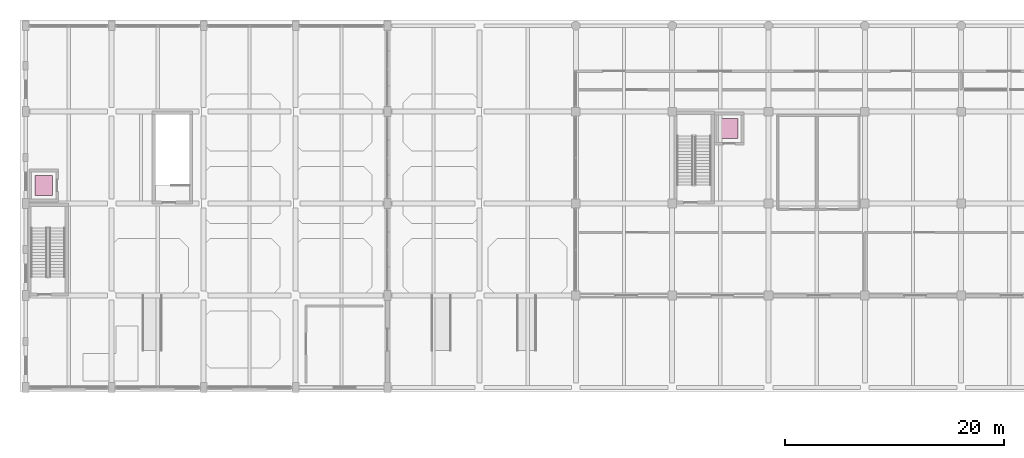
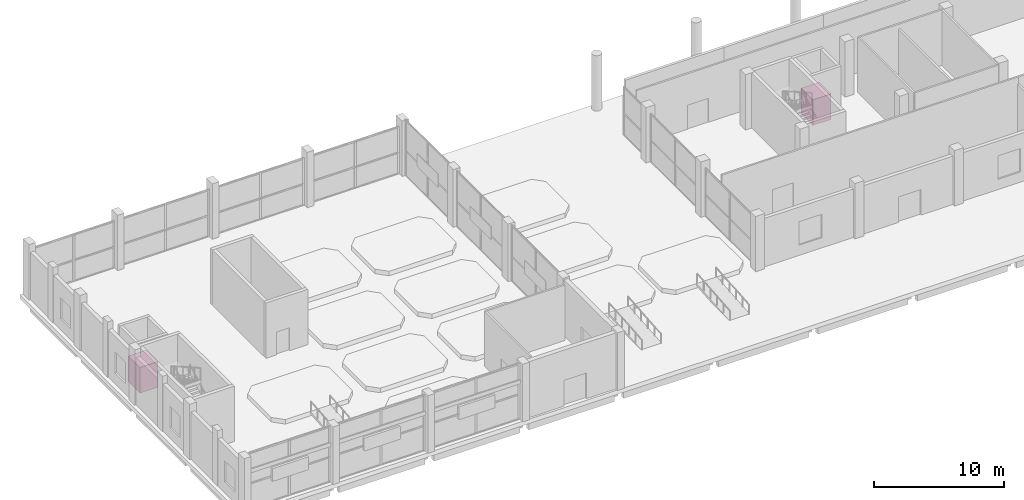
# One storey, part 34 of 34: 2 transport elements.
"""IFC4 building model written with IfcOpenShell, lengths in metres."""

from ifc_helpers import new_model, si_unit, direction, frame, origin, origin_2d, place, context, subcontext, project, spatial, rectangle, extrude, material, type_object, element, save


model = new_model("IFC4")

# Units and contexts
model_context = context("Model", 3, precision=1e-05, world=origin(), true_north=direction((0.0, 1.0)))
body_context = subcontext(model_context, "Body", "Model", "MODEL_VIEW")
ifc_project = project(units=[si_unit("LENGTHUNIT", "METRE"), si_unit("AREAUNIT", "SQUARE_METRE"), si_unit("VOLUMEUNIT", "CUBIC_METRE"), si_unit("PLANEANGLEUNIT", "RADIAN"), si_unit("MASSUNIT", "GRAM", prefix="KILO")], contexts=[model_context])

# Site, building, storey
site_placement = place(None, origin())
site = spatial("IfcSite", under=ifc_project, at=site_placement, CompositionType="ELEMENT")
building_placement = place(site_placement, origin())
building = spatial("IfcBuilding", under=site, at=building_placement, Name="Brinegate Botanical Conservatory", CompositionType="ELEMENT")
storey_placement = place(building_placement, origin())
storey = spatial("IfcBuildingStorey", under=building, at=storey_placement, Name="L01", CompositionType="ELEMENT", Elevation=0.0)

# Transport elements
ifc_material = material(Name="Brushed stainless steel S355 elevator cab", Category="steel")
transport_element_type_1 = type_object("IfcTransportElementType", Name="Lift_LF5", PredefinedType="ELEVATOR", material=ifc_material)
transport_element_1_placement = place(storey_placement, frame((64.800048828125, 102.050048828125, 0.0), z_axis=(0.0, 0.0, 1.0), x_axis=(1.0, 0.0, 0.0)))
element("IfcTransportElement", 1, at=transport_element_1_placement, inside=storey, type_object=transport_element_type_1, Name="Visitor Wing Passenger Lift LF5", PredefinedType="ELEVATOR", context=body_context, shape_type="SweptSolid", body=[
    extrude(rectangle(XDim=1.60009765625, YDim=1.800048828125, at=origin_2d()), origin(), (0.0, 0.0, 1.0), 2.39990234375),
])
transport_element_type_2 = type_object("IfcTransportElementType", Name="Lift_LF7", PredefinedType="ELEVATOR", material=ifc_material)
transport_element_2_placement = place(storey_placement, frame((2.199951171875, 96.85009765625, 0.0), z_axis=(0.0, 0.0, 1.0), x_axis=(1.0, 0.0, 0.0)))
element("IfcTransportElement", 2, at=transport_element_2_placement, inside=storey, type_object=transport_element_type_2, Name="Conservatory Scenic Lift LF7", PredefinedType="ELEVATOR", context=body_context, shape_type="SweptSolid", body=[
    extrude(rectangle(XDim=1.60009765625, YDim=1.800048828125, at=origin_2d()), origin(), (0.0, 0.0, 1.0), 2.39990234375),
])

save(model, "model.ifc")
